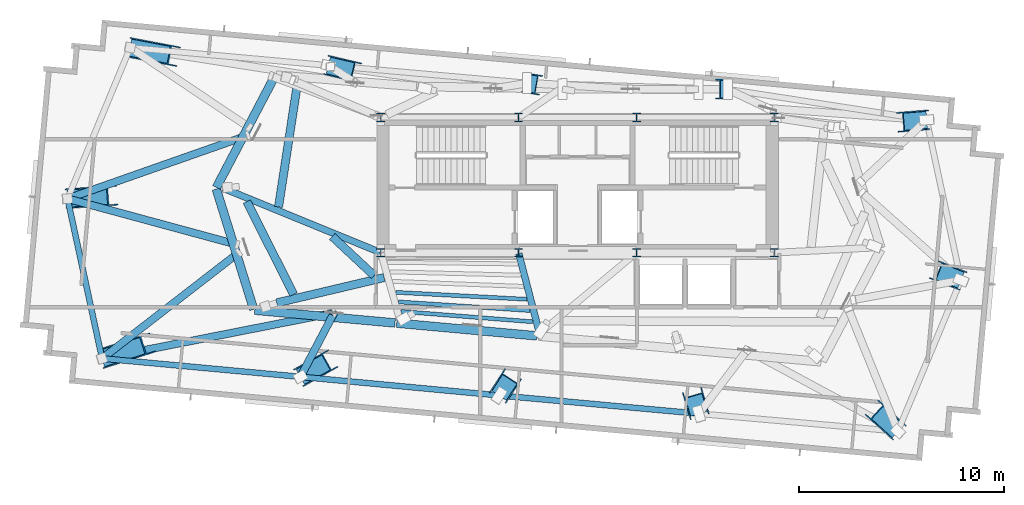
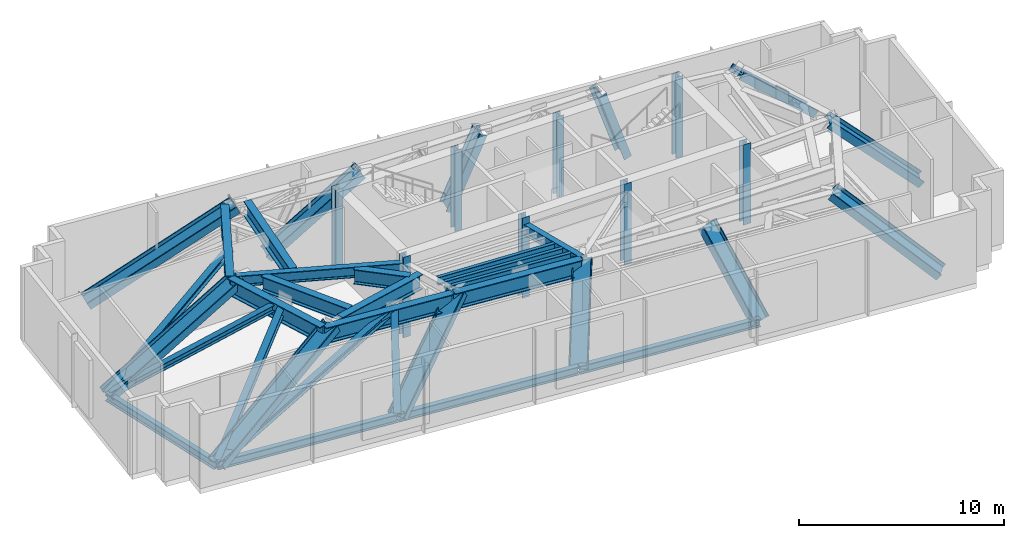
# One storey, part 1 of 9: 20 columns, 13 beams, 9 members.
"""IFC4 building model written with IfcOpenShell, lengths in metres."""

from ifc_helpers import new_model, si_unit, direction, frame, origin, origin_2d, place, context, subcontext, project, spatial, i_section, extrude, source, transform, mapped, material, material_profile, profile_set, type_object, type_shapes, element, save


model = new_model("IFC4")

# Units and contexts
model_context = context("Model", 3, precision=1e-05, world=origin(), true_north=direction((0.0, 1.0)))
body_context = subcontext(model_context, "Body", "Model", "MODEL_VIEW")
ifc_project = project(units=[si_unit("LENGTHUNIT", "METRE"), si_unit("AREAUNIT", "SQUARE_METRE"), si_unit("VOLUMEUNIT", "CUBIC_METRE"), si_unit("PLANEANGLEUNIT", "RADIAN"), si_unit("MASSUNIT", "GRAM", prefix="KILO")], contexts=[model_context])

# Site, building, storey
site_placement = place(None, origin())
site = spatial("IfcSite", under=ifc_project, at=site_placement, CompositionType="ELEMENT")
building_placement = place(site_placement, origin())
building = spatial("IfcBuilding", under=site, at=building_placement, Name="Astriad Promenade Condominiums", CompositionType="ELEMENT")
storey_placement = place(building_placement, frame((0.0, 0.0, 259.5)))
storey = spatial("IfcBuildingStorey", under=building, at=storey_placement, Name="L75", CompositionType="ELEMENT", Elevation=259.5)

# Columns
ifc_material = material(Name="Steel ASTM A992 Grade 50", Category="steel")
ifc_material_profile_1 = material_profile(ifc_material, i_section(OverallWidth=0.4091796875, OverallDepth=0.42529296875, WebThickness=0.03271484375, FlangeThickness=0.052490234375, FilletRadius=0.017822265625, at=origin_2d()), Name="W14X283")
ifc_profile_set_1 = profile_set([ifc_material_profile_1], Name="Steel ASTM A992 Grade 50")
column_type_1 = type_object("IfcColumnType", Name="STEEL CORE PILASTER W14X283", PredefinedType="PILASTER", material=ifc_profile_set_1)
shared_shape_1 = source(origin(), body_context, "Body", "SweptSolid", [
    extrude(i_section(OverallWidth=0.4091796875, OverallDepth=0.42529296875, WebThickness=0.03271484375, FlangeThickness=0.052490234375, FilletRadius=0.017822265625, at=origin_2d()), origin(), (0.0, 0.0, 1.0), 4.796142578125),
])
type_shapes(column_type_1, [shared_shape_1])
for number, where, z_axis, x_axis, name in (
    (1, (26.39990234375, 17.39990234375, 0.001953125), (0.0, 0.0, 1.0), (1.0, 0.0, 0.0), "Core Pilaster Column CP1 (L75)"),
    (2, (33.1201171875, 17.39990234375, 0.001953125), (0.0, 0.0, 1.0), (1.0, 0.0, 0.0), "Core Pilaster Column CP2 (L75)"),
    (3, (38.8798828125, 17.39990234375, 0.001953125), (0.0, 0.0, 1.0), (1.0, 0.0, 0.0), "Core Pilaster Column CP3 (L75)"),
    (4, (45.60009765625, 17.39990234375, 0.001953125), (0.0, 0.0, 1.0), (1.0, 0.0, 0.0), "Core Pilaster Column CP4 (L75)"),
    (5, (26.39990234375, 24.0, 0.001953125), (0.0, 0.0, 1.0), (1.0, 0.0, 0.0), "Core Pilaster Column CP5 (L75)"),
    (6, (33.1201171875, 24.0, 0.001953125), (0.0, 0.0, 1.0), (1.0, 0.0, 0.0), "Core Pilaster Column CP6 (L75)"),
    (7, (38.8798828125, 24.0, 0.001953125), (0.0, 0.0, 1.0), (1.0, 0.0, 0.0), "Core Pilaster Column CP7 (L75)"),
    (8, (45.60009765625, 24.0, 0.001953125), (0.0, 0.0, 1.0), (1.0, 0.0, 0.0), "Core Pilaster Column CP8 (L75)"),
):
    element("IfcColumn", number, at=place(storey_placement, frame(where, z_axis=z_axis, x_axis=x_axis)), inside=storey, type_object=column_type_1, Name=name, PredefinedType="PILASTER", context=body_context, shape_type="MappedRepresentation", body=[
        mapped(shared_shape_1, transform((0.0, 0.0, 0.0), scale=1.0)),
    ])
ifc_material_profile_2 = material_profile(ifc_material, i_section(OverallWidth=0.427490234375, OverallDepth=0.9755859375, WebThickness=0.031005859375, FlangeThickness=0.055908203125, FilletRadius=0.024169921875, at=origin_2d()), Name="W36X395")
ifc_profile_set_2 = profile_set([ifc_material_profile_2], Name="Steel ASTM A992 Grade 50")
column_type_2 = type_object("IfcColumnType", Name="STEEL RAKING MEGA COLUMN W36X395", PredefinedType="COLUMN", material=ifc_profile_set_2)
shared_shape_2 = source(origin(), body_context, "Body", "SweptSolid", [
    extrude(i_section(OverallWidth=0.427490234375, OverallDepth=0.9755859375, WebThickness=0.031005859375, FlangeThickness=0.055908203125, FilletRadius=0.024169921875, at=origin_2d()), origin(), (0.0, 0.0, 1.0), 9.240478515625),
])
column_1_placement = place(storey_placement, frame((12.79248046875, 12.237060546875, 0.205078125), z_axis=(0.860451991449, 0.273932700198, 0.429631523719), x_axis=(-0.40938598287, -0.130331742881, 0.90300429336)))
element("IfcColumn", 9, at=column_1_placement, inside=storey, type_object=column_type_2, Name="Raking Mega-Strut Column PC01 (L75)", PredefinedType="COLUMN", context=body_context, shape_type="MappedRepresentation", body=[
    mapped(shared_shape_2, transform((0.0, 0.0, 0.0), scale=1.0)),
])
shared_shape_3 = source(origin(), body_context, "Body", "SweptSolid", [
    extrude(i_section(OverallWidth=0.427490234375, OverallDepth=0.9755859375, WebThickness=0.031005859375, FlangeThickness=0.055908203125, FilletRadius=0.024169921875, at=origin_2d()), origin(), (0.0, 0.0, 1.0), 7.01416015625),
])
column_2_placement = place(storey_placement, frame((22.475830078125, 11.34130859375, 0.1875), z_axis=(0.715185701531, 0.403103402416, 0.570979035768), x_axis=(-0.497410024966, -0.280357497402, 0.820964640355)))
element("IfcColumn", 10, at=column_2_placement, inside=storey, type_object=column_type_2, Name="Raking Mega-Strut Column PC02 (L75)", PredefinedType="COLUMN", context=body_context, shape_type="MappedRepresentation", body=[
    mapped(shared_shape_3, transform((0.0, 0.0, 0.0), scale=1.0)),
])
shared_shape_4 = source(origin(), body_context, "Body", "SweptSolid", [
    extrude(i_section(OverallWidth=0.427490234375, OverallDepth=0.9755859375, WebThickness=0.031005859375, FlangeThickness=0.055908203125, FilletRadius=0.024169921875, at=origin_2d()), origin(), (0.0, 0.0, 1.0), 5.53271484375),
])
column_3_placement = place(storey_placement, frame((32.17919921875, 10.433349609375, 0.156982421875), z_axis=(0.369037436786, 0.568978681086, 0.734897700854), x_axis=(-0.399902050475, -0.616565471581, 0.678177977584)))
element("IfcColumn", 11, at=column_3_placement, inside=storey, type_object=column_type_2, Name="Raking Mega-Strut Column PC03 (L75)", PredefinedType="COLUMN", context=body_context, shape_type="MappedRepresentation", body=[
    mapped(shared_shape_4, transform((0.0, 0.0, 0.0), scale=1.0)),
])
shared_shape_5 = source(origin(), body_context, "Body", "SweptSolid", [
    extrude(i_section(OverallWidth=0.427490234375, OverallDepth=0.9755859375, WebThickness=0.031005859375, FlangeThickness=0.055908203125, FilletRadius=0.024169921875, at=origin_2d()), origin(), (0.0, 0.0, 1.0), 5.421875),
])
column_4_placement = place(storey_placement, frame((41.921630859375, 9.54345703125, 0.153076171875), z_axis=(-0.18650731259, 0.633008160404, 0.751342592439), x_axis=(0.212347727534, -0.720710853133, 0.659912349322)))
element("IfcColumn", 12, at=column_4_placement, inside=storey, type_object=column_type_2, Name="Raking Mega-Strut Column PC04 (L75)", PredefinedType="COLUMN", context=body_context, shape_type="MappedRepresentation", body=[
    mapped(shared_shape_5, transform((0.0, 0.0, 0.0), scale=1.0)),
])
shared_shape_6 = source(origin(), body_context, "Body", "SweptSolid", [
    extrude(i_section(OverallWidth=0.427490234375, OverallDepth=0.9755859375, WebThickness=0.031005859375, FlangeThickness=0.055908203125, FilletRadius=0.024169921875, at=origin_2d()), origin(), (0.0, 0.0, 1.0), 6.745361328125),
])
column_5_placement = place(storey_placement, frame((51.63525390625, 8.684814453125, 0.183837890625), z_axis=(-0.593935739794, 0.541708483699, 0.594804384386), x_axis=(0.439468287538, -0.400824001193, 0.803870477325)))
element("IfcColumn", 13, at=column_5_placement, inside=storey, type_object=column_type_2, Name="Raking Mega-Strut Column PC05 (L75)", PredefinedType="COLUMN", context=body_context, shape_type="MappedRepresentation", body=[
    mapped(shared_shape_6, transform((0.0, 0.0, 0.0), scale=1.0)),
])
shared_shape_7 = source(origin(), body_context, "Body", "SweptSolid", [
    extrude(i_section(OverallWidth=0.427490234375, OverallDepth=0.9755859375, WebThickness=0.031005859375, FlangeThickness=0.055908203125, FilletRadius=0.024169921875, at=origin_2d()), origin(), (0.0, 0.0, 1.0), 8.6982421875),
])
column_6_placement = place(storey_placement, frame((14.16748046875, 27.409423828125, 0.2021484375), z_axis=(0.873825957486, -0.165850948601, 0.45707948857), x_axis=(-0.449062642075, 0.085231463464, 0.889425849146)))
element("IfcColumn", 14, at=column_6_placement, inside=storey, type_object=column_type_2, Name="Raking Mega-Strut Column PC06 (L75)", PredefinedType="COLUMN", context=body_context, shape_type="MappedRepresentation", body=[
    mapped(shared_shape_7, transform((0.0, 0.0, 0.0), scale=1.0)),
])
shared_shape_8 = source(origin(), body_context, "Body", "SweptSolid", [
    extrude(i_section(OverallWidth=0.427490234375, OverallDepth=0.9755859375, WebThickness=0.031005859375, FlangeThickness=0.055908203125, FilletRadius=0.024169921875, at=origin_2d()), origin(), (0.0, 0.0, 1.0), 6.272705078125),
])
column_7_placement = place(storey_placement, frame((23.844482421875, 26.537109375, 0.17578125), z_axis=(0.745884472592, -0.176740836466, 0.642198590992), x_axis=(-0.624895005981, 0.148071812887, 0.766538302845)))
element("IfcColumn", 15, at=column_7_placement, inside=storey, type_object=column_type_2, Name="Raking Mega-Strut Column PC07 (L75)", PredefinedType="COLUMN", context=body_context, shape_type="MappedRepresentation", body=[
    mapped(shared_shape_8, transform((0.0, 0.0, 0.0), scale=1.0)),
])
shared_shape_9 = source(origin(), body_context, "Body", "SweptSolid", [
    extrude(i_section(OverallWidth=0.427490234375, OverallDepth=0.9755859375, WebThickness=0.031005859375, FlangeThickness=0.055908203125, FilletRadius=0.024169921875, at=origin_2d()), origin(), (0.0, 0.0, 1.0), 4.541259765625),
])
column_8_placement = place(storey_placement, frame((33.53857421875, 25.681640625, 0.09423828125), z_axis=(0.379386266326, -0.064942413167, 0.922956414949), x_axis=(-0.909724384981, 0.155724395218, 0.384904476598)))
element("IfcColumn", 16, at=column_8_placement, inside=storey, type_object=column_type_2, Name="Raking Mega-Strut Column PC08 (L75)", PredefinedType="COLUMN", context=body_context, shape_type="MappedRepresentation", body=[
    mapped(shared_shape_9, transform((0.0, 0.0, 0.0), scale=1.0)),
])
shared_shape_10 = source(origin(), body_context, "Body", "SweptSolid", [
    extrude(i_section(OverallWidth=0.427490234375, OverallDepth=0.9755859375, WebThickness=0.031005859375, FlangeThickness=0.055908203125, FilletRadius=0.024169921875, at=origin_2d()), origin(), (0.0, 0.0, 1.0), 4.45458984375),
])
column_9_placement = place(storey_placement, frame((43.33154296875, 25.3798828125, 0.080810546875), z_axis=(-0.321270892983, 0.0, 0.946987335355), x_axis=(0.946987335355, 0.0, 0.321270892983)))
element("IfcColumn", 17, at=column_9_placement, inside=storey, type_object=column_type_2, Name="Raking Mega-Strut Column PC09 (L75)", PredefinedType="COLUMN", context=body_context, shape_type="MappedRepresentation", body=[
    mapped(shared_shape_10, transform((0.0, 0.0, 0.0), scale=1.0)),
])
shared_shape_11 = source(origin(), body_context, "Body", "SweptSolid", [
    extrude(i_section(OverallWidth=0.427490234375, OverallDepth=0.9755859375, WebThickness=0.031005859375, FlangeThickness=0.055908203125, FilletRadius=0.024169921875, at=origin_2d()), origin(), (0.0, 0.0, 1.0), 5.986572265625),
])
column_10_placement = place(storey_placement, frame((53.033203125, 23.87841796875, 0.169677734375), z_axis=(-0.735382929277, -0.060520644801, 0.674943848687), x_axis=(0.672669702548, 0.055359463098, 0.737869094839)))
element("IfcColumn", 18, at=column_10_placement, inside=storey, type_object=column_type_2, Name="Raking Mega-Strut Column PC10 (L75)", PredefinedType="COLUMN", context=body_context, shape_type="MappedRepresentation", body=[
    mapped(shared_shape_11, transform((0.0, 0.0, 0.0), scale=1.0)),
])
shared_shape_12 = source(origin(), body_context, "Body", "SweptSolid", [
    extrude(i_section(OverallWidth=0.427490234375, OverallDepth=0.9755859375, WebThickness=0.031005859375, FlangeThickness=0.055908203125, FilletRadius=0.024169921875, at=origin_2d()), origin(), (0.0, 0.0, 1.0), 8.754150390625),
])
column_11_placement = place(storey_placement, frame((11.107421875, 20.0380859375, 0.202392578125), z_axis=(0.888774763315, 0.062386304733, 0.454078593501), x_axis=(-0.452964055531, -0.031795180025, 0.890961632689)))
element("IfcColumn", 19, at=column_11_placement, inside=storey, type_object=column_type_2, Name="Raking Mega-Strut Column PC11 (L75)", PredefinedType="COLUMN", context=body_context, shape_type="MappedRepresentation", body=[
    mapped(shared_shape_12, transform((0.0, 0.0, 0.0), scale=1.0)),
])
shared_shape_13 = source(origin(), body_context, "Body", "SweptSolid", [
    extrude(i_section(OverallWidth=0.427490234375, OverallDepth=0.9755859375, WebThickness=0.031005859375, FlangeThickness=0.055908203125, FilletRadius=0.024169921875, at=origin_2d()), origin(), (0.0, 0.0, 1.0), 6.06689453125),
])
type_shapes(column_type_2, [shared_shape_2, shared_shape_3, shared_shape_4, shared_shape_5, shared_shape_6, shared_shape_7, shared_shape_8, shared_shape_9, shared_shape_10, shared_shape_11, shared_shape_12, shared_shape_13])
column_12_placement = place(storey_placement, frame((54.709716796875, 16.060302734375, 0.17138671875), z_axis=(-0.694685367575, 0.273157867989, 0.665429950658), x_axis=(0.619275330963, -0.243505818605, 0.746460300865)))
element("IfcColumn", 20, at=column_12_placement, inside=storey, type_object=column_type_2, Name="Raking Mega-Strut Column PC12 (L75)", PredefinedType="COLUMN", context=body_context, shape_type="MappedRepresentation", body=[
    mapped(shared_shape_13, transform((0.0, 0.0, 0.0), scale=1.0)),
])

# Beams
ifc_material_profile_3 = material_profile(ifc_material, i_section(OverallWidth=0.423095703125, OverallDepth=0.9482421875, WebThickness=0.02392578125, FlangeThickness=0.042724609375, FilletRadius=0.024169921875, at=origin_2d()), Name="W36X302")
ifc_profile_set_3 = profile_set([ifc_material_profile_3], Name="Steel ASTM A992 Grade 50")
beam_type_1 = type_object("IfcBeamType", Name="STEEL PERIMETER RING GIRDER W36X302", PredefinedType="BEAM", material=ifc_profile_set_3)
shared_shape_14 = source(origin(), body_context, "Body", "SweptSolid", [
    extrude(i_section(OverallWidth=0.423095703125, OverallDepth=0.9482421875, WebThickness=0.02392578125, FlangeThickness=0.042724609375, FilletRadius=0.024169921875, at=origin_2d()), origin(), (0.0, 0.0, 1.0), 6.877197265625),
])
beam_1_placement = place(storey_placement, frame((20.244384765625, 14.59326171875, 3.906005859375), z_axis=(0.995884472304, -0.090631770498, 0.0), x_axis=(0.090631770498, 0.995884472304, 0.0)))
element("IfcBeam", 21, at=beam_1_placement, inside=storey, type_object=beam_type_1, Name="Perimeter Spandrel Beam SP-S1-L75", PredefinedType="BEAM", context=body_context, shape_type="MappedRepresentation", body=[
    mapped(shared_shape_14, transform((0.0, 0.0, 0.0), scale=1.0)),
])
shared_shape_15 = source(origin(), body_context, "Body", "SweptSolid", [
    extrude(i_section(OverallWidth=0.423095703125, OverallDepth=0.9482421875, WebThickness=0.02392578125, FlangeThickness=0.042724609375, FilletRadius=0.024169921875, at=origin_2d()), origin(), (0.0, 0.0, 1.0), 6.87744140625),
])
beam_2_placement = place(storey_placement, frame((27.1728515625, 13.962646484375, 3.906005859375), z_axis=(0.995884763891, -0.090628566415, 0.0), x_axis=(0.090628566415, 0.995884763891, 0.0)))
element("IfcBeam", 22, at=beam_2_placement, inside=storey, type_object=beam_type_1, Name="Perimeter Spandrel Beam SP-S2-L75", PredefinedType="BEAM", context=body_context, shape_type="MappedRepresentation", body=[
    mapped(shared_shape_15, transform((0.0, 0.0, 0.0), scale=1.0)),
])
shared_shape_16 = source(origin(), body_context, "Body", "SweptSolid", [
    extrude(i_section(OverallWidth=0.423095703125, OverallDepth=0.9482421875, WebThickness=0.02392578125, FlangeThickness=0.042724609375, FilletRadius=0.024169921875, at=origin_2d()), origin(), (0.0, 0.0, 1.0), 6.150390625),
])
beam_3_placement = place(storey_placement, frame((21.2294921875, 26.0302734375, 3.906005859375), z_axis=(-0.464153831605, -0.885754605185, 0.0), x_axis=(0.885754605185, -0.464153831605, 0.0)))
element("IfcBeam", 23, at=beam_3_placement, inside=storey, type_object=beam_type_1, Name="Perimeter Spandrel Beam SP-W2-L75", PredefinedType="BEAM", context=body_context, shape_type="MappedRepresentation", body=[
    mapped(shared_shape_16, transform((0.0, 0.0, 0.0), scale=1.0)),
])
shared_shape_17 = source(origin(), body_context, "Body", "SweptSolid", [
    extrude(i_section(OverallWidth=0.423095703125, OverallDepth=0.9482421875, WebThickness=0.02392578125, FlangeThickness=0.042724609375, FilletRadius=0.024169921875, at=origin_2d()), origin(), (0.0, 0.0, 1.0), 6.150634765625),
])
type_shapes(beam_type_1, [shared_shape_14, shared_shape_15, shared_shape_16, shared_shape_17])
beam_4_placement = place(storey_placement, frame((18.367919921875, 20.5087890625, 3.906005859375), z_axis=(0.296667627944, -0.954980794849, 0.0), x_axis=(0.954980794849, 0.296667627944, 0.0)))
element("IfcBeam", 24, at=beam_4_placement, inside=storey, type_object=beam_type_1, Name="Perimeter Spandrel Beam SP-W1-L75", PredefinedType="BEAM", context=body_context, shape_type="MappedRepresentation", body=[
    mapped(shared_shape_17, transform((0.0, 0.0, 0.0), scale=1.0)),
])
ifc_material_profile_4 = material_profile(ifc_material, i_section(OverallWidth=0.327392578125, OverallDepth=0.640625, WebThickness=0.01904296875, FlangeThickness=0.033935546875, FilletRadius=0.017822265625, at=origin_2d()), Name="W24X176")
ifc_profile_set_4 = profile_set([ifc_material_profile_4], Name="Steel ASTM A992 Grade 50")
beam_type_2 = type_object("IfcBeamType", Name="STEEL FLOOR GIRDER W24X176", PredefinedType="BEAM", material=ifc_profile_set_4)
shared_shape_18 = source(origin(), body_context, "Body", "SweptSolid", [
    extrude(i_section(OverallWidth=0.327392578125, OverallDepth=0.640625, WebThickness=0.01904296875, FlangeThickness=0.033935546875, FilletRadius=0.017822265625, at=origin_2d()), origin(), (0.0, 0.0, 1.0), 8.2861328125),
])
type_shapes(beam_type_2, [shared_shape_18])
beam_5_placement = place(storey_placement, frame((18.694091796875, 20.552978515625, 4.059814453125), z_axis=(0.925519732308, -0.378699386201, 0.0), x_axis=(0.378699386201, 0.925519732308, 0.0)))
element("IfcBeam", 25, at=beam_5_placement, inside=storey, type_object=beam_type_2, Name="Primary Floor Girder PG-WM-L75", PredefinedType="BEAM", context=body_context, shape_type="MappedRepresentation", body=[
    mapped(shared_shape_18, transform((0.0, 0.0, 0.0), scale=1.0)),
])
ifc_material_profile_5 = material_profile(ifc_material, i_section(OverallWidth=0.326416015625, OverallDepth=0.621826171875, WebThickness=0.015380859375, FlangeThickness=0.0244140625, FilletRadius=0.017822265625, at=origin_2d()), Name="W24X131")
ifc_profile_set_5 = profile_set([ifc_material_profile_5], Name="Steel ASTM A992 Grade 50")
beam_type_3 = type_object("IfcBeamType", Name="STEEL FLOOR GIRDER W24X131", PredefinedType="BEAM", material=ifc_profile_set_5)
shared_shape_19 = source(origin(), body_context, "Body", "SweptSolid", [
    extrude(i_section(OverallWidth=0.326416015625, OverallDepth=0.621826171875, WebThickness=0.015380859375, FlangeThickness=0.0244140625, FilletRadius=0.017822265625, at=origin_2d()), origin(), (0.0, 0.0, 1.0), 3.98876953125),
])
type_shapes(beam_type_3, [shared_shape_19])
beam_6_placement = place(storey_placement, frame((34.133544921875, 13.500732421875, 4.069091796875), z_axis=(-0.251554735493, 0.967843073567, 0.0), x_axis=(-0.967843073567, -0.251554735493, 0.0)))
element("IfcBeam", 26, at=beam_6_placement, inside=storey, type_object=beam_type_3, Name="Primary Floor Girder PG-C1-L75", PredefinedType="BEAM", context=body_context, shape_type="MappedRepresentation", body=[
    mapped(shared_shape_19, transform((0.0, 0.0, 0.0), scale=1.0)),
])
ifc_material_profile_6 = material_profile(ifc_material, i_section(OverallWidth=0.19287109375, OverallDepth=0.466064453125, WebThickness=0.011474609375, FlangeThickness=0.01904296875, FilletRadius=0.01513671875, at=origin_2d()), Name="W18X65")
ifc_profile_set_6 = profile_set([ifc_material_profile_6], Name="Steel ASTM A992 Grade 50")
beam_type_4 = type_object("IfcBeamType", Name="STEEL FLOOR JOIST W18X65", PredefinedType="JOIST", material=ifc_profile_set_6)
shared_shape_20 = source(origin(), body_context, "Body", "SweptSolid", [
    extrude(i_section(OverallWidth=0.19287109375, OverallDepth=0.466064453125, WebThickness=0.011474609375, FlangeThickness=0.01904296875, FilletRadius=0.01513671875, at=origin_2d()), origin(), (0.0, 0.0, 1.0), 6.4482421875),
])
beam_7_placement = place(storey_placement, frame((27.3896484375, 14.53173828125, 4.14697265625), z_axis=(0.996938898625, -0.078184604674, 0.0), x_axis=(0.078184604674, 0.996938898625, 0.0)))
element("IfcBeam", 27, at=beam_7_placement, inside=storey, type_object=beam_type_4, Name="Secondary Composite Floor Joist JCW-1-L75", PredefinedType="JOIST", context=body_context, shape_type="MappedRepresentation", body=[
    mapped(shared_shape_20, transform((0.0, 0.0, 0.0), scale=1.0)),
])
shared_shape_21 = source(origin(), body_context, "Body", "SweptSolid", [
    extrude(i_section(OverallWidth=0.19287109375, OverallDepth=0.466064453125, WebThickness=0.011474609375, FlangeThickness=0.01904296875, FilletRadius=0.01513671875, at=origin_2d()), origin(), (0.0, 0.0, 1.0), 6.431396484375),
])
beam_8_placement = place(storey_placement, frame((27.2578125, 14.998779296875, 4.14697265625), z_axis=(0.997843723124, -0.065634626694, 0.0), x_axis=(0.065634626694, 0.997843723124, 0.0)))
element("IfcBeam", 28, at=beam_8_placement, inside=storey, type_object=beam_type_4, Name="Secondary Composite Floor Joist JCW-2-L75", PredefinedType="JOIST", context=body_context, shape_type="MappedRepresentation", body=[
    mapped(shared_shape_21, transform((0.0, 0.0, 0.0), scale=1.0)),
])
shared_shape_22 = source(origin(), body_context, "Body", "SweptSolid", [
    extrude(i_section(OverallWidth=0.19287109375, OverallDepth=0.466064453125, WebThickness=0.011474609375, FlangeThickness=0.01904296875, FilletRadius=0.01513671875, at=origin_2d()), origin(), (0.0, 0.0, 1.0), 6.415771484375),
])
type_shapes(beam_type_4, [shared_shape_20, shared_shape_21, shared_shape_22])
beam_9_placement = place(storey_placement, frame((27.1259765625, 15.465576171875, 4.14697265625), z_axis=(0.998594076321, -0.053008213868, 0.0), x_axis=(0.053008213868, 0.998594076321, 0.0)))
element("IfcBeam", 29, at=beam_9_placement, inside=storey, type_object=beam_type_4, Name="Secondary Composite Floor Joist JCW-3-L75", PredefinedType="JOIST", context=body_context, shape_type="MappedRepresentation", body=[
    mapped(shared_shape_22, transform((0.0, 0.0, 0.0), scale=1.0)),
])
ifc_material_profile_7 = material_profile(ifc_material, i_section(OverallWidth=0.4013671875, OverallDepth=0.877197265625, WebThickness=0.022216796875, FlangeThickness=0.039794921875, FilletRadius=0.02294921875, at=origin_2d()), Name="W33X263")
ifc_profile_set_7 = profile_set([ifc_material_profile_7], Name="Steel ASTM A992 Grade 50")
beam_type_5 = type_object("IfcBeamType", Name="STEEL TRANSFER CARRIER GIRDER W33X263", PredefinedType="BEAM", material=ifc_profile_set_7)
shared_shape_23 = source(origin(), body_context, "Body", "SweptSolid", [
    extrude(i_section(OverallWidth=0.4013671875, OverallDepth=0.877197265625, WebThickness=0.022216796875, FlangeThickness=0.039794921875, FilletRadius=0.02294921875, at=origin_2d()), origin(), (0.0, 0.0, 1.0), 5.3896484375),
])
beam_10_placement = place(storey_placement, frame((26.5625, 16.187255859375, 3.94140625), z_axis=(-0.973323817753, -0.229435711682, 0.0), x_axis=(0.229435711682, -0.973323817753, 0.0)))
element("IfcBeam", 30, at=beam_10_placement, inside=storey, type_object=beam_type_5, Name="Transfer Splice Carrier TRM-SP-PC01-L75", PredefinedType="BEAM", context=body_context, shape_type="MappedRepresentation", body=[
    mapped(shared_shape_23, transform((0.0, 0.0, 0.0), scale=1.0)),
])
shared_shape_24 = source(origin(), body_context, "Body", "SweptSolid", [
    extrude(i_section(OverallWidth=0.4013671875, OverallDepth=0.877197265625, WebThickness=0.022216796875, FlangeThickness=0.039794921875, FilletRadius=0.02294921875, at=origin_2d()), origin(), (0.0, 0.0, 1.0), 2.794189453125),
])
beam_11_placement = place(storey_placement, frame((24.0234375, 18.191650390625, 3.94140625), z_axis=(0.730979718583, -0.682399187441, 0.0), x_axis=(0.682399187441, 0.730979718583, 0.0)))
element("IfcBeam", 31, at=beam_11_placement, inside=storey, type_object=beam_type_5, Name="Transfer Splice Carrier TRM-SP-PC02-L75", PredefinedType="BEAM", context=body_context, shape_type="MappedRepresentation", body=[
    mapped(shared_shape_24, transform((0.0, 0.0, 0.0), scale=1.0)),
])
shared_shape_25 = source(origin(), body_context, "Body", "SweptSolid", [
    extrude(i_section(OverallWidth=0.4013671875, OverallDepth=0.877197265625, WebThickness=0.022216796875, FlangeThickness=0.039794921875, FilletRadius=0.02294921875, at=origin_2d()), origin(), (0.0, 0.0, 1.0), 6.196044921875),
])
beam_12_placement = place(storey_placement, frame((21.4052734375, 19.631103515625, 3.94140625), z_axis=(0.15150347241, 0.988456725329, 0.0), x_axis=(-0.988456725329, 0.15150347241, 0.0)))
element("IfcBeam", 32, at=beam_12_placement, inside=storey, type_object=beam_type_5, Name="Transfer Splice Carrier TRM-SP-PC06-L75", PredefinedType="BEAM", context=body_context, shape_type="MappedRepresentation", body=[
    mapped(shared_shape_25, transform((0.0, 0.0, 0.0), scale=1.0)),
])
shared_shape_26 = source(origin(), body_context, "Body", "SweptSolid", [
    extrude(i_section(OverallWidth=0.4013671875, OverallDepth=0.877197265625, WebThickness=0.022216796875, FlangeThickness=0.039794921875, FilletRadius=0.02294921875, at=origin_2d()), origin(), (0.0, 0.0, 1.0), 5.074951171875),
])
type_shapes(beam_type_5, [shared_shape_23, shared_shape_24, shared_shape_25, shared_shape_26])
beam_13_placement = place(storey_placement, frame((22.1435546875, 15.36181640625, 3.94140625), z_axis=(-0.450385897207, 0.892833995543, 0.0), x_axis=(-0.892833995543, -0.450385897207, 0.0)))
element("IfcBeam", 33, at=beam_13_placement, inside=storey, type_object=beam_type_5, Name="Transfer Splice Carrier TRM-SP-PC11-L75", PredefinedType="BEAM", context=body_context, shape_type="MappedRepresentation", body=[
    mapped(shared_shape_26, transform((0.0, 0.0, 0.0), scale=1.0)),
])

# Members
ifc_material_profile_8 = material_profile(ifc_material, i_section(OverallWidth=0.283447265625, OverallDepth=0.489013671875, WebThickness=0.01708984375, FlangeThickness=0.030517578125, FilletRadius=0.01513671875, at=origin_2d()), Name="W18X130")
ifc_profile_set_8 = profile_set([ifc_material_profile_8], Name="Steel ASTM A992 Grade 50")
member_type_1 = type_object("IfcMemberType", Name="STEEL BELT TRUSS CHORD W18X130", PredefinedType="CHORD", material=ifc_profile_set_8)
shared_shape_27 = source(origin(), body_context, "Body", "SweptSolid", [
    extrude(i_section(OverallWidth=0.283447265625, OverallDepth=0.489013671875, WebThickness=0.01708984375, FlangeThickness=0.030517578125, FilletRadius=0.01513671875, at=origin_2d()), origin(), (0.0, 0.0, 1.0), 9.674560546875),
])
member_1_placement = place(storey_placement, frame((12.8173828125, 12.234619140625, 0.139892578125), z_axis=(0.995749035871, -0.092107858307, 0.0), x_axis=(0.092107858307, 0.995749035871, 0.0)))
element("IfcMember", 34, at=member_1_placement, inside=storey, type_object=member_type_1, Name="Belt Truss Chord L75-01", PredefinedType="CHORD", context=body_context, shape_type="MappedRepresentation", body=[
    mapped(shared_shape_27, transform((0.0, 0.0, 0.0), scale=1.0)),
])
ifc_material_profile_9 = material_profile(ifc_material, i_section(OverallWidth=0.368896484375, OverallDepth=0.356201171875, WebThickness=0.01123046875, FlangeThickness=0.01806640625, FilletRadius=0.017822265625, at=origin_2d()), Name="W14X90")
ifc_profile_set_9 = profile_set([ifc_material_profile_9], Name="Steel ASTM A992 Grade 50")
member_type_2 = type_object("IfcMemberType", Name="STEEL BELT TRUSS DIAGONAL W14X90", PredefinedType="BRACE", material=ifc_profile_set_9)
shared_shape_28 = source(origin(), body_context, "Body", "SweptSolid", [
    extrude(i_section(OverallWidth=0.368896484375, OverallDepth=0.356201171875, WebThickness=0.01123046875, FlangeThickness=0.01806640625, FilletRadius=0.017822265625, at=origin_2d()), origin(), (0.0, 0.0, 1.0), 12.1865234375),
])
member_2_placement = place(storey_placement, frame((12.8154296875, 12.24169921875, 0.148193359375), z_axis=(0.925558797075, 0.182347103268, 0.331798805133), x_axis=(-0.193297365152, 0.981140218636, 0.0)))
element("IfcMember", 35, at=member_2_placement, inside=storey, type_object=member_type_2, Name="Belt Truss Diagonal L75-01A", PredefinedType="BRACE", context=body_context, shape_type="MappedRepresentation", body=[
    mapped(shared_shape_28, transform((0.0, 0.0, 0.0), scale=1.0)),
])
shared_shape_29 = source(origin(), body_context, "Body", "SweptSolid", [
    extrude(i_section(OverallWidth=0.368896484375, OverallDepth=0.356201171875, WebThickness=0.01123046875, FlangeThickness=0.01806640625, FilletRadius=0.017822265625, at=origin_2d()), origin(), (0.0, 0.0, 1.0), 5.33154296875),
])
member_3_placement = place(storey_placement, frame((22.4833984375, 11.355712890625, 0.158935546875), z_axis=(0.305115338587, 0.581152448148, 0.754431217654), x_axis=(-0.885391442369, 0.464846204437, 0.0)))
element("IfcMember", 36, at=member_3_placement, inside=storey, type_object=member_type_2, Name="Belt Truss Diagonal L75-01B", PredefinedType="BRACE", context=body_context, shape_type="MappedRepresentation", body=[
    mapped(shared_shape_29, transform((0.0, 0.0, 0.0), scale=1.0)),
])
shared_shape_30 = source(origin(), body_context, "Body", "SweptSolid", [
    extrude(i_section(OverallWidth=0.283447265625, OverallDepth=0.489013671875, WebThickness=0.01708984375, FlangeThickness=0.030517578125, FilletRadius=0.01513671875, at=origin_2d()), origin(), (0.0, 0.0, 1.0), 9.69580078125),
])
member_4_placement = place(storey_placement, frame((22.500732421875, 11.339111328125, 0.139892578125), z_axis=(0.995648182216, -0.093191723082, 0.0), x_axis=(0.093191723082, 0.995648182216, 0.0)))
element("IfcMember", 37, at=member_4_placement, inside=storey, type_object=member_type_1, Name="Belt Truss Chord L75-02", PredefinedType="CHORD", context=body_context, shape_type="MappedRepresentation", body=[
    mapped(shared_shape_30, transform((0.0, 0.0, 0.0), scale=1.0)),
])
shared_shape_31 = source(origin(), body_context, "Body", "SweptSolid", [
    extrude(i_section(OverallWidth=0.283447265625, OverallDepth=0.489013671875, WebThickness=0.01708984375, FlangeThickness=0.030517578125, FilletRadius=0.01513671875, at=origin_2d()), origin(), (0.0, 0.0, 1.0), 9.73291015625),
])
member_5_placement = place(storey_placement, frame((32.2041015625, 10.430908203125, 0.139892578125), z_axis=(0.995855081545, -0.090954145379, 0.0), x_axis=(0.090954145379, 0.995855081545, 0.0)))
element("IfcMember", 38, at=member_5_placement, inside=storey, type_object=member_type_1, Name="Belt Truss Chord L75-03", PredefinedType="CHORD", context=body_context, shape_type="MappedRepresentation", body=[
    mapped(shared_shape_31, transform((0.0, 0.0, 0.0), scale=1.0)),
])
shared_shape_32 = source(origin(), body_context, "Body", "SweptSolid", [
    extrude(i_section(OverallWidth=0.283447265625, OverallDepth=0.489013671875, WebThickness=0.01708984375, FlangeThickness=0.030517578125, FilletRadius=0.01513671875, at=origin_2d()), origin(), (0.0, 0.0, 1.0), 7.930908203125),
])
type_shapes(member_type_1, [shared_shape_27, shared_shape_30, shared_shape_31, shared_shape_32])
member_6_placement = place(storey_placement, frame((12.787109375, 12.261474609375, 0.139892578125), z_axis=(-0.211111826237, 0.977461915792, 0.0), x_axis=(-0.977461915792, -0.211111826237, 0.0)))
element("IfcMember", 39, at=member_6_placement, inside=storey, type_object=member_type_1, Name="Belt Truss Chord L75-09", PredefinedType="CHORD", context=body_context, shape_type="MappedRepresentation", body=[
    mapped(shared_shape_32, transform((0.0, 0.0, 0.0), scale=1.0)),
])
shared_shape_33 = source(origin(), body_context, "Body", "SweptSolid", [
    extrude(i_section(OverallWidth=0.368896484375, OverallDepth=0.356201171875, WebThickness=0.01123046875, FlangeThickness=0.01806640625, FilletRadius=0.017822265625, at=origin_2d()), origin(), (0.0, 0.0, 1.0), 9.241943359375),
])
member_7_placement = place(storey_placement, frame((12.810302734375, 12.2509765625, 0.150390625), z_axis=(0.719082956877, 0.556885779873, 0.415689703149), x_axis=(-0.612294448507, 0.790629817505, 0.0)))
element("IfcMember", 40, at=member_7_placement, inside=storey, type_object=member_type_2, Name="Belt Truss Diagonal L75-09A", PredefinedType="BRACE", context=body_context, shape_type="MappedRepresentation", body=[
    mapped(shared_shape_33, transform((0.0, 0.0, 0.0), scale=1.0)),
])
shared_shape_34 = source(origin(), body_context, "Body", "SweptSolid", [
    extrude(i_section(OverallWidth=0.368896484375, OverallDepth=0.356201171875, WebThickness=0.01123046875, FlangeThickness=0.01806640625, FilletRadius=0.017822265625, at=origin_2d()), origin(), (0.0, 0.0, 1.0), 9.369140625),
])
member_8_placement = place(storey_placement, frame((11.12939453125, 20.031982421875, 0.150390625), z_axis=(0.880141063735, -0.238692922306, 0.410338149296), x_axis=(0.261743797549, 0.965137391486, 0.0)))
element("IfcMember", 41, at=member_8_placement, inside=storey, type_object=member_type_2, Name="Belt Truss Diagonal L75-09B", PredefinedType="BRACE", context=body_context, shape_type="MappedRepresentation", body=[
    mapped(shared_shape_34, transform((0.0, 0.0, 0.0), scale=1.0)),
])
shared_shape_35 = source(origin(), body_context, "Body", "SweptSolid", [
    extrude(i_section(OverallWidth=0.368896484375, OverallDepth=0.356201171875, WebThickness=0.01123046875, FlangeThickness=0.01806640625, FilletRadius=0.017822265625, at=origin_2d()), origin(), (0.0, 0.0, 1.0), 10.05712890625),
])
type_shapes(member_type_2, [shared_shape_28, shared_shape_29, shared_shape_33, shared_shape_34, shared_shape_35])
member_9_placement = place(storey_placement, frame((11.12939453125, 20.045654296875, 0.149658203125), z_axis=(0.871317379996, 0.305943023433, 0.383672894181), x_axis=(-0.331297534157, 0.943526334482, 0.0)))
element("IfcMember", 42, at=member_9_placement, inside=storey, type_object=member_type_2, Name="Belt Truss Diagonal L75-10A", PredefinedType="BRACE", context=body_context, shape_type="MappedRepresentation", body=[
    mapped(shared_shape_35, transform((0.0, 0.0, 0.0), scale=1.0)),
])

save(model, "model.ifc")
